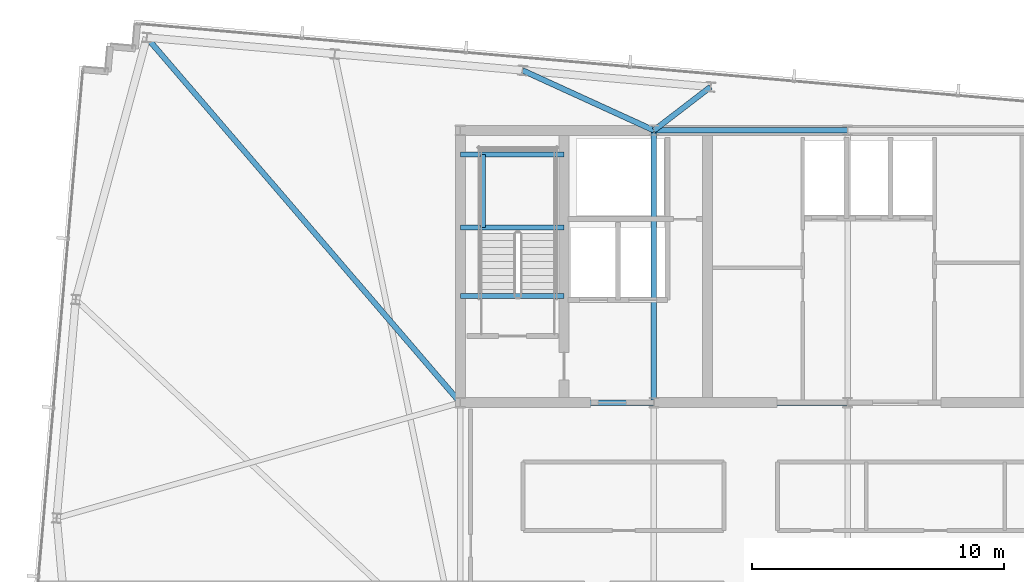
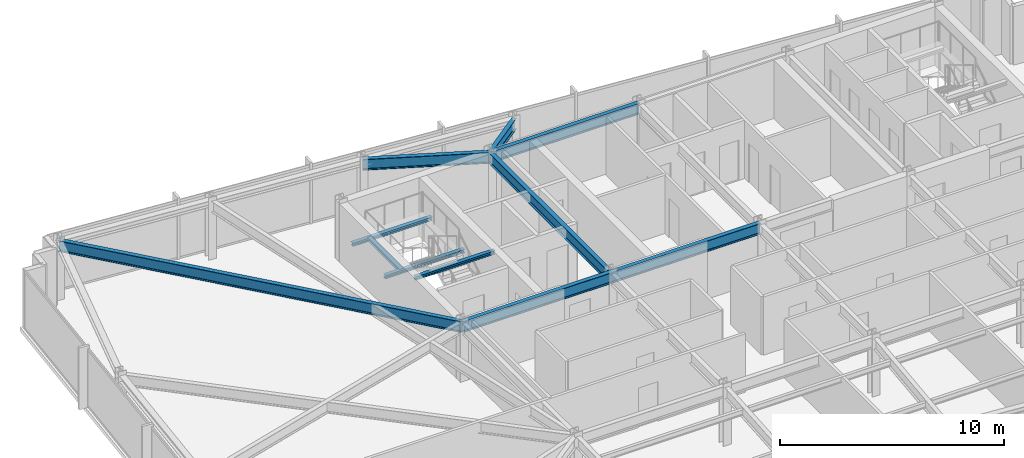
# One storey, part 12 of 32: 11 beams.
"""IFC4 building model written with IfcOpenShell, lengths in metres."""

from ifc_helpers import new_model, si_unit, direction, frame, origin, origin_2d, place, context, subcontext, project, spatial, i_section, extrude, material, material_profile, profile_set, type_object, element, save


model = new_model("IFC4")

# Units and contexts
model_context = context("Model", 3, precision=1e-05, world=origin(), true_north=direction((0.0, 1.0)))
body_context = subcontext(model_context, "Body", "Model", "MODEL_VIEW")
ifc_project = project(units=[si_unit("LENGTHUNIT", "METRE"), si_unit("AREAUNIT", "SQUARE_METRE"), si_unit("VOLUMEUNIT", "CUBIC_METRE"), si_unit("PLANEANGLEUNIT", "RADIAN"), si_unit("MASSUNIT", "GRAM", prefix="KILO")], contexts=[model_context])

# Site, building, storey
site_placement = place(None, origin())
site = spatial("IfcSite", under=ifc_project, at=site_placement, CompositionType="ELEMENT")
building_placement = place(site_placement, origin())
building = spatial("IfcBuilding", under=site, at=building_placement, Name="Yelkora Congress Tower", CompositionType="ELEMENT")
storey_placement = place(building_placement, frame((0.0, 0.0, 269.300048828125)))
storey = spatial("IfcBuildingStorey", under=building, at=storey_placement, Name="L75", CompositionType="ELEMENT", Elevation=269.300048828125)

# Beams
ifc_material = material(Name="Steel S355J2", Category="steel")
ifc_material_profile_1 = material_profile(ifc_material, i_section(OverallWidth=0.219970703125, OverallDepth=0.60009765625, WebThickness=0.011962890625, FlangeThickness=0.01904296875, FilletRadius=0.02392578125, at=origin_2d()), Name="IPE 600")
ifc_profile_set_1 = profile_set([ifc_material_profile_1], Name="Steel S355J2")
beam_type_1 = type_object("IfcBeamType", Name="BM-GIRD-IPE600", PredefinedType="BEAM", material=ifc_profile_set_1)
for number, where, z_axis, x_axis, name in (
    (1, (30.719970703125, 46.199951171875, 2.8798828125), (1.0, 0.0, 0.0), (0.0, 1.0, 0.0), "L75 Core North Girder 2"),
    (2, (23.0400390625, 35.39990234375, 2.8798828125), (1.0, 0.0, 0.0), (0.0, 1.0, 0.0), "L75 Core South Girder 1"),
    (3, (30.719970703125, 35.39990234375, 2.8798828125), (1.0, 0.0, 0.0), (0.0, 1.0, 0.0), "L75 Core South Girder 2"),
):
    element("IfcBeam", number, at=place(storey_placement, frame(where, z_axis=z_axis, x_axis=x_axis)), inside=storey, type_object=beam_type_1, Name=name, PredefinedType="BEAM", context=body_context, shape_type="SweptSolid", body=[
        extrude(i_section(OverallWidth=0.219970703125, OverallDepth=0.60009765625, WebThickness=0.011962890625, FlangeThickness=0.01904296875, FilletRadius=0.02392578125, at=origin_2d()), origin(), (0.0, 0.0, 1.0), 7.679931640625),
    ])
beam_1_placement = place(storey_placement, frame((30.719970703125, 35.39990234375, 2.8798828125), z_axis=(0.0, 1.0, 0.0), x_axis=(-1.0, 0.0, 0.0)))
element("IfcBeam", 4, at=beam_1_placement, inside=storey, type_object=beam_type_1, Name="L75 Core Tie Girder MC-S2", PredefinedType="BEAM", context=body_context, shape_type="SweptSolid", body=[
    extrude(i_section(OverallWidth=0.219970703125, OverallDepth=0.60009765625, WebThickness=0.011962890625, FlangeThickness=0.01904296875, FilletRadius=0.02392578125, at=origin_2d()), origin(), (0.0, 0.0, 1.0), 10.800048828125),
])
beam_2_placement = place(storey_placement, frame((10.60400390625, 49.884033203125, 2.8798828125), z_axis=(0.651427266579, -0.758711088859, 0.0), x_axis=(0.758711088859, 0.651427266579, 0.0)))
element("IfcBeam", 5, at=beam_2_placement, inside=storey, type_object=beam_type_1, Name="L75 Primary Frame Girder N01", PredefinedType="BEAM", context=body_context, shape_type="SweptSolid", body=[
    extrude(i_section(OverallWidth=0.219970703125, OverallDepth=0.60009765625, WebThickness=0.011962890625, FlangeThickness=0.01904296875, FilletRadius=0.02392578125, at=origin_2d()), origin(), (0.0, 0.0, 1.0), 19.09033203125),
])
beam_3_placement = place(storey_placement, frame((25.513916015625, 48.57958984375, 2.8798828125), z_axis=(0.909492445228, -0.415720449429, 0.0), x_axis=(0.415720449429, 0.909492445228, 0.0)))
element("IfcBeam", 6, at=beam_3_placement, inside=storey, type_object=beam_type_1, Name="L75 Primary Frame Girder N03", PredefinedType="BEAM", context=body_context, shape_type="SweptSolid", body=[
    extrude(i_section(OverallWidth=0.219970703125, OverallDepth=0.60009765625, WebThickness=0.011962890625, FlangeThickness=0.01904296875, FilletRadius=0.02392578125, at=origin_2d()), origin(), (0.0, 0.0, 1.0), 5.72412109375),
])
beam_4_placement = place(storey_placement, frame((32.968505859375, 47.927490234375, 2.8798828125), z_axis=(-0.792982335977, -0.609244626425, 0.0), x_axis=(0.609244626425, -0.792982335977, 0.0)))
element("IfcBeam", 7, at=beam_4_placement, inside=storey, type_object=beam_type_1, Name="L75 Primary Frame Girder N04", PredefinedType="BEAM", context=body_context, shape_type="SweptSolid", body=[
    extrude(i_section(OverallWidth=0.219970703125, OverallDepth=0.60009765625, WebThickness=0.011962890625, FlangeThickness=0.01904296875, FilletRadius=0.02392578125, at=origin_2d()), origin(), (0.0, 0.0, 1.0), 2.83544921875),
])
ifc_material_profile_2 = material_profile(ifc_material, i_section(OverallWidth=0.199951171875, OverallDepth=0.18994140625, WebThickness=0.006591796875, FlangeThickness=0.010009765625, FilletRadius=0.01806640625, at=origin_2d()), Name="HEA 200")
ifc_profile_set_2 = profile_set([ifc_material_profile_2], Name="Steel S355J2")
beam_type_2 = type_object("IfcBeamType", Name="BM-LAND-HEA200", PredefinedType="BEAM", material=ifc_profile_set_2)
for number, where, z_axis, x_axis, name in (
    (8, (23.0400390625, 42.340087890625, 1.384521484375), (1.0, 0.0, 0.0), (0.0, 1.0, 0.0), "ST-01 L75 Landing Header Beam 1S"),
    (9, (23.0400390625, 45.25, 1.384521484375), (1.0, 0.0, 0.0), (0.0, 1.0, 0.0), "ST-01 L75 Landing Header Beam 1N"),
):
    element("IfcBeam", number, at=place(storey_placement, frame(where, z_axis=z_axis, x_axis=x_axis)), inside=storey, type_object=beam_type_2, Name=name, PredefinedType="BEAM", context=body_context, shape_type="SweptSolid", body=[
        extrude(i_section(OverallWidth=0.199951171875, OverallDepth=0.18994140625, WebThickness=0.006591796875, FlangeThickness=0.010009765625, FilletRadius=0.01806640625, at=origin_2d()), origin(), (0.0, 0.0, 1.0), 4.10986328125),
    ])
beam_5_placement = place(storey_placement, frame((23.93994140625, 42.340087890625, 1.384521484375), z_axis=(0.0, 1.0, 0.0), x_axis=(-1.0, 0.0, 0.0)))
element("IfcBeam", 10, at=beam_5_placement, inside=storey, type_object=beam_type_2, Name="ST-01 L75 Landing Trimmer Beam 1M", PredefinedType="BEAM", context=body_context, shape_type="SweptSolid", body=[
    extrude(i_section(OverallWidth=0.199951171875, OverallDepth=0.18994140625, WebThickness=0.006591796875, FlangeThickness=0.010009765625, FilletRadius=0.01806640625, at=origin_2d()), origin(), (0.0, 0.0, 1.0), 2.909912109375),
])
beam_6_placement = place(storey_placement, frame((23.0400390625, 39.639892578125, 2.947265625), z_axis=(1.0, 0.0, 0.0), x_axis=(0.0, 1.0, 0.0)))
element("IfcBeam", 11, at=beam_6_placement, inside=storey, type_object=beam_type_2, Name="ST-01 L75 Floor Arrival Stringer Header Beam", PredefinedType="BEAM", context=body_context, shape_type="SweptSolid", body=[
    extrude(i_section(OverallWidth=0.199951171875, OverallDepth=0.18994140625, WebThickness=0.006591796875, FlangeThickness=0.010009765625, FilletRadius=0.01806640625, at=origin_2d()), origin(), (0.0, 0.0, 1.0), 4.10986328125),
])

save(model, "model.ifc")
